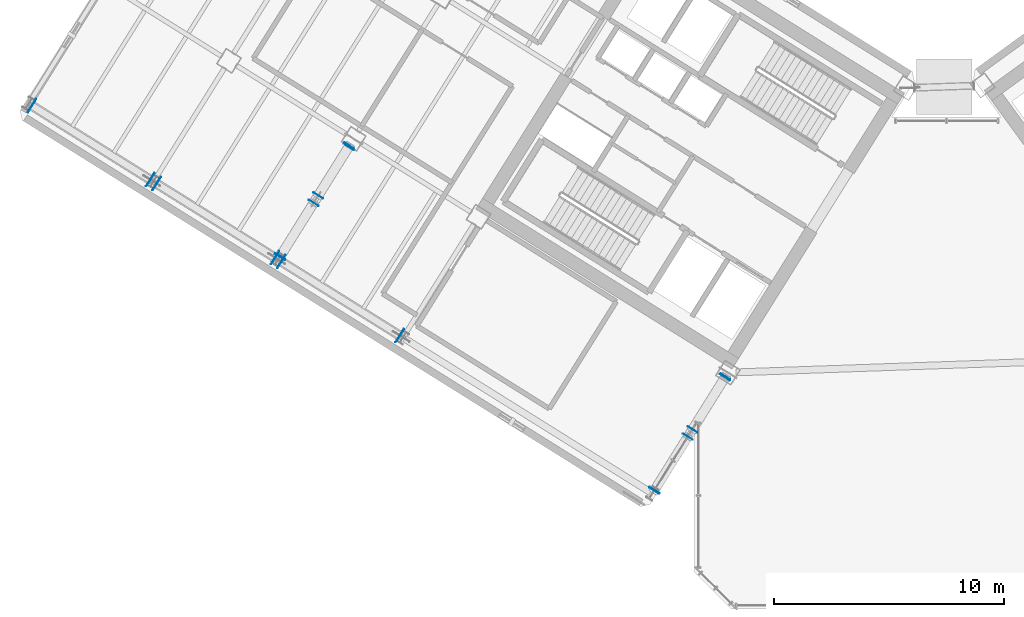
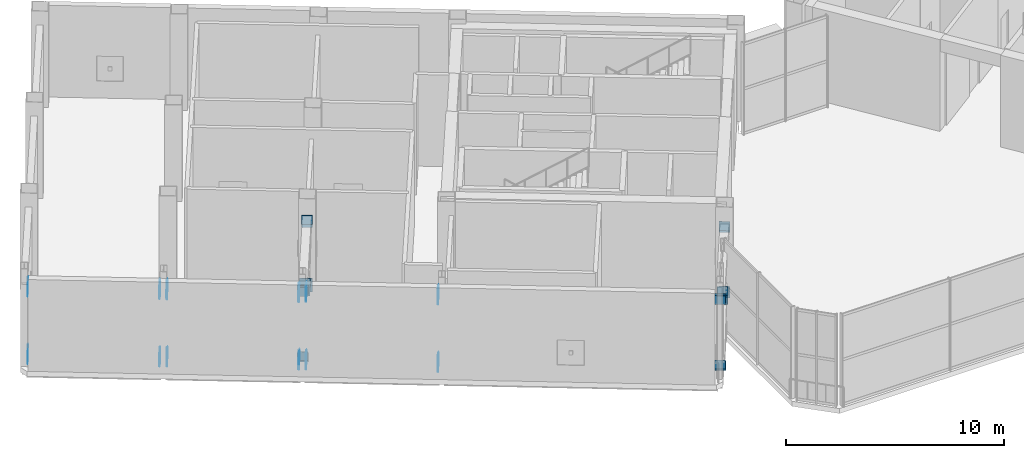
# One storey, part 18 of 30: 38 plates.
"""IFC4 building model written with IfcOpenShell, lengths in metres."""

from ifc_helpers import new_model, si_unit, direction, frame, origin, origin_2d, place, context, subcontext, project, spatial, rectangle, extrude, source, transform, mapped, material, layer, layer_set, type_object, element, save


model = new_model("IFC4")

# Units and contexts
model_context = context("Model", 3, precision=1e-05, world=origin(), true_north=direction((0.0, 1.0)))
body_context = subcontext(model_context, "Body", "Model", "MODEL_VIEW")
ifc_project = project(units=[si_unit("LENGTHUNIT", "METRE"), si_unit("AREAUNIT", "SQUARE_METRE"), si_unit("VOLUMEUNIT", "CUBIC_METRE"), si_unit("PLANEANGLEUNIT", "RADIAN"), si_unit("MASSUNIT", "GRAM", prefix="KILO")], contexts=[model_context])

# Site, building, storey
site_placement = place(None, origin())
site = spatial("IfcSite", under=ifc_project, at=site_placement, CompositionType="ELEMENT")
building_placement = place(site_placement, origin())
building = spatial("IfcBuilding", under=site, at=building_placement, Name="Tlacorven Tower", CompositionType="ELEMENT")
storey_placement = place(building_placement, frame((0.0, 0.0, 169.5)))
storey = spatial("IfcBuildingStorey", under=building, at=storey_placement, Name="L43", CompositionType="ELEMENT", Elevation=169.5)

# Plates
ifc_material = material(Name="Steel S460M", Category="steel")
ifc_layer_1 = layer(ifc_material, 0.02001953125)
ifc_layer_set_1 = layer_set([ifc_layer_1], Name="Steel S460M")
plate_type_1 = type_object("IfcPlateType", Name="PL-CAP-END2", PredefinedType="USERDEFINED", material=ifc_layer_set_1)
shared_shape_1 = source(origin(), body_context, "Body", "SweptSolid", [
    extrude(rectangle(XDim=0.02001953125, YDim=0.514892578125, at=origin_2d()), origin(), (0.0, 0.0, 1.0), 0.514892578125),
])
for number, where, z_axis, x_axis, name in (
    (1, (32.9189453125, 11.88330078125, 0.1923828125), (0.0, 0.0, 1.0), (-0.529919225395, -0.848048120425, 0.0), "L43 hollow end cap plate OUT-L43-W1-B 1"),
    (2, (29.84814453125, 6.968994140625, 0.1923828125), (0.0, 0.0, 1.0), (-0.529919225395, -0.848048120425, 0.0), "L43 hollow end cap plate OUT-L43-W1-B 2"),
    (3, (32.9189453125, 11.88330078125, 3.97265625), (0.0, 0.0, 1.0), (-0.529919225395, -0.848048120425, 0.0), "L43 hollow end cap plate OUT-L43-W1-T 1"),
    (4, (29.84814453125, 6.968994140625, 3.97265625), (0.0, 0.0, 1.0), (-0.529919225395, -0.848048120425, 0.0), "L43 hollow end cap plate OUT-L43-W1-T 2"),
    (5, (16.543701171875, 21.909423828125, 0.1923828125), (0.0, 0.0, 1.0), (-0.529919254346, -0.848048102335, 0.0), "L43 hollow end cap plate OUT-L43-W2-B 1"),
    (6, (13.5654296875, 17.143310546875, 0.1923828125), (0.0, 0.0, 1.0), (-0.529919254346, -0.848048102335, 0.0), "L43 hollow end cap plate OUT-L43-W2-B 2"),
    (7, (16.543701171875, 21.909423828125, 3.97265625), (0.0, 0.0, 1.0), (-0.529919254346, -0.848048102335, 0.0), "L43 hollow end cap plate OUT-L43-W2-T 1"),
    (8, (13.5654296875, 17.143310546875, 3.97265625), (0.0, 0.0, 1.0), (-0.529919254346, -0.848048102335, 0.0), "L43 hollow end cap plate OUT-L43-W2-T 2"),
):
    element("IfcPlate", number, at=place(storey_placement, frame(where, z_axis=z_axis, x_axis=x_axis)), inside=storey, type_object=plate_type_1, Name=name, ObjectType="END PLATE", PredefinedType="USERDEFINED", context=body_context, shape_type="MappedRepresentation", body=[
        mapped(shared_shape_1, transform((0.0, 0.0, 0.0), scale=1.0)),
    ])
shared_shape_2 = source(origin(), body_context, "Body", "SweptSolid", [
    extrude(rectangle(XDim=0.02001953125, YDim=0.49609375, at=origin_2d()), origin(), (0.0, 0.0, 1.0), 0.49609375),
])
for number, where, z_axis, x_axis, name in (
    (9, (32.9375, 11.9130859375, 0.326904296875), (0.0, 0.0, 1.0), (-0.529919279123, -0.848048086852, 0.0), "L43 hollow end cap plate OUT-L43-W1-D1 1"),
    (10, (29.835205078125, 6.948486328125, 3.89599609375), (0.0, 0.0, 1.0), (-0.529919279123, -0.848048086852, 0.0), "L43 hollow end cap plate OUT-L43-W1-D1 2"),
    (11, (32.9375, 11.9130859375, 3.85693359375), (0.0, 0.0, 1.0), (-0.529918421022, -0.848048623053, 0.0), "L43 hollow end cap plate OUT-L43-W1-D2A 1"),
    (12, (31.5029296875, 9.6171875, 2.20654296875), (0.0, 0.0, 1.0), (-0.529918421022, -0.848048623053, 0.0), "L43 hollow end cap plate OUT-L43-W1-D2A 2"),
    (13, (31.303955078125, 9.298583984375, 1.9775390625), (0.0, 0.0, 1.0), (-0.52992015207, -0.848047541374, 0.0), "L43 hollow end cap plate OUT-L43-W1-D2B 1"),
    (14, (29.835205078125, 6.948486328125, 0.287841796875), (0.0, 0.0, 1.0), (-0.52992015207, -0.848047541374, 0.0), "L43 hollow end cap plate OUT-L43-W1-D2B 2"),
    (15, (16.575927734375, 21.9609375, 0.41796875), (0.0, 0.0, 1.0), (-0.529919272566, -0.848048090949, 0.0), "L43 hollow end cap plate OUT-L43-W2-D1 1"),
    (16, (13.552734375, 17.122802734375, 3.89599609375), (0.0, 0.0, 1.0), (-0.529919272566, -0.848048090949, 0.0), "L43 hollow end cap plate OUT-L43-W2-D1 2"),
    (17, (16.575927734375, 21.9609375, 3.765869140625), (0.0, 0.0, 1.0), (-0.529919867576, -0.848047719146, 0.0), "L43 hollow end cap plate OUT-L43-W2-D2A 1"),
    (18, (15.220458984375, 19.791748046875, 2.20654296875), (0.0, 0.0, 1.0), (-0.529919867576, -0.848047719146, 0.0), "L43 hollow end cap plate OUT-L43-W2-D2A 2"),
    (19, (15.021240234375, 19.47314453125, 1.9775390625), (0.0, 0.0, 1.0), (-0.52991833547, -0.848048676511, 0.0), "L43 hollow end cap plate OUT-L43-W2-D2B 1"),
    (20, (13.552734375, 17.122802734375, 0.287841796875), (0.0, 0.0, 1.0), (-0.52991833547, -0.848048676511, 0.0), "L43 hollow end cap plate OUT-L43-W2-D2B 2"),
):
    element("IfcPlate", number, at=place(storey_placement, frame(where, z_axis=z_axis, x_axis=x_axis)), inside=storey, type_object=plate_type_1, Name=name, ObjectType="END PLATE", PredefinedType="USERDEFINED", context=body_context, shape_type="MappedRepresentation", body=[
        mapped(shared_shape_2, transform((0.0, 0.0, 0.0), scale=1.0)),
    ])
ifc_layer_2 = layer(ifc_material, 0.02392578125)
ifc_layer_set_2 = layer_set([ifc_layer_2], Name="Steel S460M")
plate_type_2 = type_object("IfcPlateType", Name="PL-CAP-END1", PredefinedType="USERDEFINED", material=ifc_layer_set_2)
shared_shape_3 = source(origin(), body_context, "Body", "SweptSolid", [
    extrude(rectangle(XDim=0.02392578125, YDim=0.679931640625, at=origin_2d()), origin(), (0.0, 0.0, 1.0), 0.679931640625),
])
for number, where, z_axis, x_axis, name in (
    (21, (18.765625, 13.699462890625, 0.10986328125), (0.0, 0.0, 1.0), (-0.8480481679, 0.52991914942, 0.0), "L43 hollow end cap plate BLT-L43-W1-B 1"),
    (22, (13.617919921875, 16.916015625, 0.10986328125), (0.0, 0.0, 1.0), (-0.8480481679, 0.52991914942, 0.0), "L43 hollow end cap plate BLT-L43-W1-B 2"),
    (23, (18.765625, 13.699462890625, 3.89013671875), (0.0, 0.0, 1.0), (-0.8480481679, 0.52991914942, 0.0), "L43 hollow end cap plate BLT-L43-W1-T 1"),
    (24, (13.617919921875, 16.916015625, 3.89013671875), (0.0, 0.0, 1.0), (-0.8480481679, 0.52991914942, 0.0), "L43 hollow end cap plate BLT-L43-W1-T 2"),
    (25, (13.338134765625, 17.0908203125, 0.10986328125), (0.0, 0.0, 1.0), (-0.848048093872, 0.529919267889, 0.0), "L43 hollow end cap plate BLT-L43-W2-B 1"),
    (26, (8.1904296875, 20.307373046875, 0.10986328125), (0.0, 0.0, 1.0), (-0.848048093872, 0.529919267889, 0.0), "L43 hollow end cap plate BLT-L43-W2-B 2"),
    (27, (13.338134765625, 17.0908203125, 3.89013671875), (0.0, 0.0, 1.0), (-0.848048093872, 0.529919267889, 0.0), "L43 hollow end cap plate BLT-L43-W2-T 1"),
    (28, (8.1904296875, 20.307373046875, 3.89013671875), (0.0, 0.0, 1.0), (-0.848048093872, 0.529919267889, 0.0), "L43 hollow end cap plate BLT-L43-W2-T 2"),
    (29, (7.91064453125, 20.482421875, 0.10986328125), (0.0, 0.0, 1.0), (-0.8480481679, 0.52991914942, 0.0), "L43 hollow end cap plate BLT-L43-W3-B 1"),
    (30, (2.762939453125, 23.698974609375, 0.10986328125), (0.0, 0.0, 1.0), (-0.8480481679, 0.52991914942, 0.0), "L43 hollow end cap plate BLT-L43-W3-B 2"),
    (31, (7.91064453125, 20.482421875, 3.89013671875), (0.0, 0.0, 1.0), (-0.8480481679, 0.52991914942, 0.0), "L43 hollow end cap plate BLT-L43-W3-T 1"),
    (32, (2.762939453125, 23.698974609375, 3.89013671875), (0.0, 0.0, 1.0), (-0.8480481679, 0.52991914942, 0.0), "L43 hollow end cap plate BLT-L43-W3-T 2"),
):
    element("IfcPlate", number, at=place(storey_placement, frame(where, z_axis=z_axis, x_axis=x_axis)), inside=storey, type_object=plate_type_2, Name=name, ObjectType="END PLATE", PredefinedType="USERDEFINED", context=body_context, shape_type="MappedRepresentation", body=[
        mapped(shared_shape_3, transform((0.0, 0.0, 0.0), scale=1.0)),
    ])
shared_shape_4 = source(origin(), body_context, "Body", "SweptSolid", [
    extrude(rectangle(XDim=0.02392578125, YDim=0.486328125, at=origin_2d()), origin(), (0.0, 0.0, 1.0), 0.486328125),
])
for number, where, z_axis, x_axis, name in (
    (33, (18.7705078125, 13.6962890625, 0.301025390625), (0.0, 0.0, 1.0), (-0.848048018873, 0.529919387912, 0.0), "L43 hollow end cap plate BLT-L43-W1-D1 1"),
    (34, (13.61328125, 16.9189453125, 3.892822265625), (0.0, 0.0, 1.0), (-0.848048018873, 0.529919387912, 0.0), "L43 hollow end cap plate BLT-L43-W1-D1 2"),
    (35, (13.343017578125, 17.087890625, 0.301025390625), (0.0, 0.0, 1.0), (-0.848048092771, 0.52991926965, 0.0), "L43 hollow end cap plate BLT-L43-W2-D1 1"),
    (36, (8.185791015625, 20.310546875, 3.892822265625), (0.0, 0.0, 1.0), (-0.848048092771, 0.52991926965, 0.0), "L43 hollow end cap plate BLT-L43-W2-D1 2"),
    (37, (7.91552734375, 20.479248046875, 0.301025390625), (0.0, 0.0, 1.0), (-0.848048018873, 0.529919387912, 0.0), "L43 hollow end cap plate BLT-L43-W3-D1 1"),
    (38, (2.75830078125, 23.701904296875, 3.892822265625), (0.0, 0.0, 1.0), (-0.848048018873, 0.529919387912, 0.0), "L43 hollow end cap plate BLT-L43-W3-D1 2"),
):
    element("IfcPlate", number, at=place(storey_placement, frame(where, z_axis=z_axis, x_axis=x_axis)), inside=storey, type_object=plate_type_2, Name=name, ObjectType="END PLATE", PredefinedType="USERDEFINED", context=body_context, shape_type="MappedRepresentation", body=[
        mapped(shared_shape_4, transform((0.0, 0.0, 0.0), scale=1.0)),
    ])

save(model, "model.ifc")
